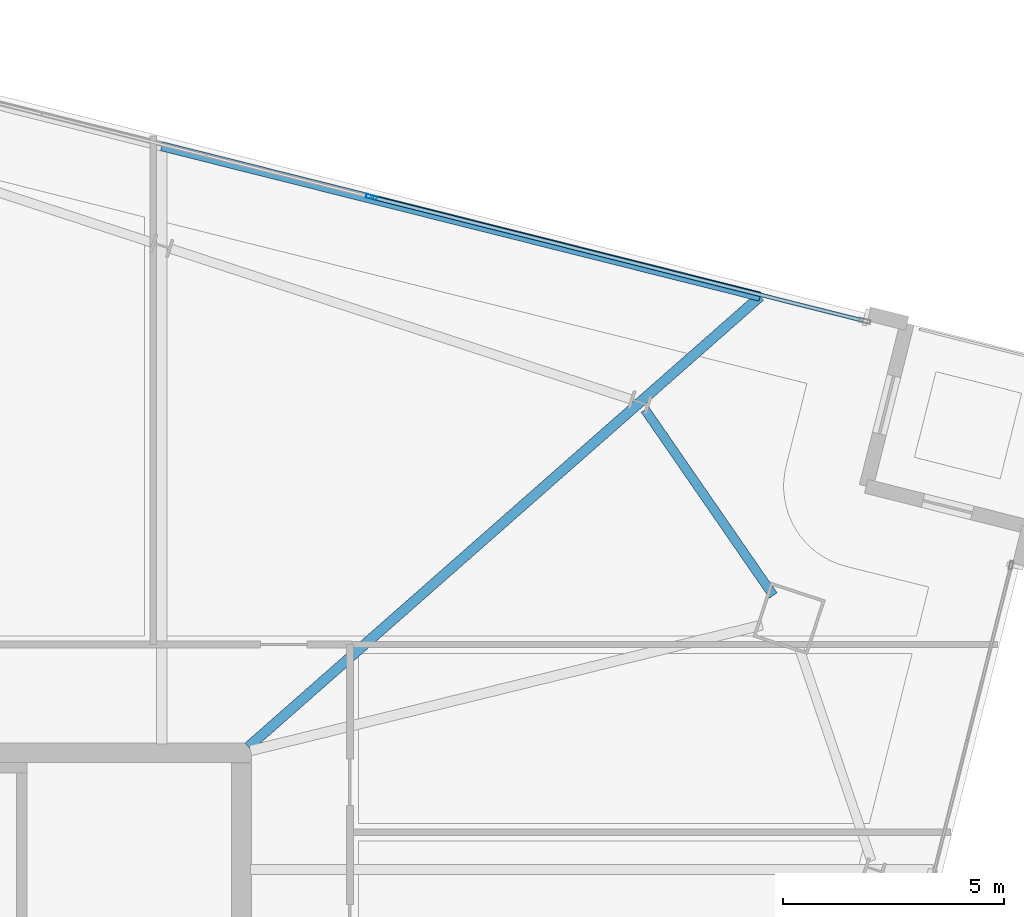
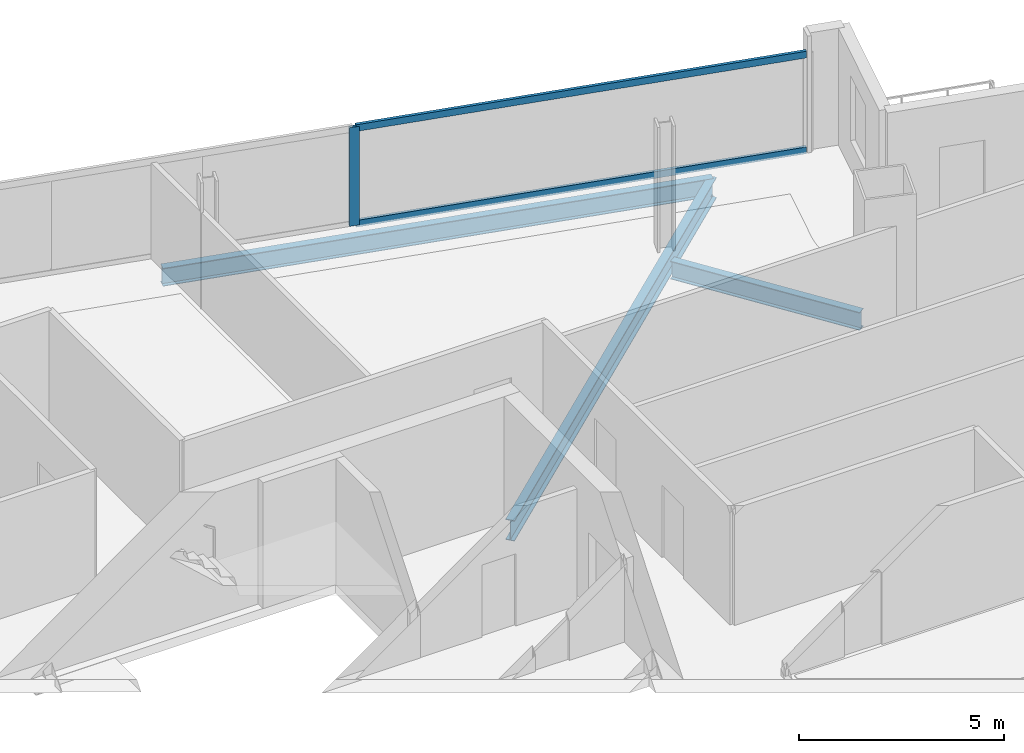
# One storey, part 16 of 28: 3 beams, 3 members, 1 element without a shape of its own.
"""IFC4 building model written with IfcOpenShell, lengths in metres."""

import ifcopenshell
import ifcopenshell.guid

model = None  # the IFC model being written
_history = None  # IfcOwnerHistory: only IFC2X3 demands one
_inside = {}  # id of a spatial element -> (the spatial element, [elements in it])
_under = {}  # id of a project, library or spatial element -> (it, [spatial elements below it])
_declared = {}  # id of a project -> (the project, [libraries it declares])
_typed = {}  # id of a type object -> (the type object, [elements of that type])
_made_of = {}  # id of a material, layer set ... -> (it, [elements and type objects made of it])


def new_model(schema):
    """Start an empty IFC model of exactly this schema.

    Asked for "IFC4X3", IfcOpenShell would pick the latest addendum, in which some entities
    have other attributes; the version numbers below select the first issue.
    IFC2X3 requires an IfcOwnerHistory on every rooted entity: one is made here for all.
    """
    global model, _history
    if schema == "IFC4X3":
        model = ifcopenshell.file(schema_version=(4, 3, 0, 0))
    else:
        model = ifcopenshell.file(schema=schema)
    _inside.clear()
    _under.clear()
    _declared.clear()
    _typed.clear()
    _made_of.clear()
    _history = None
    if model.schema == "IFC2X3":
        org = make("IfcOrganization", Name="unknown")
        user = make(
            "IfcPersonAndOrganization",
            ThePerson=make("IfcPerson", FamilyName="unknown"),
            TheOrganization=org,
        )
        app = make(
            "IfcApplication",
            ApplicationDeveloper=org,
            Version="unknown",
            ApplicationFullName="unknown",
            ApplicationIdentifier="unknown",
        )
        _history = make(
            "IfcOwnerHistory",
            OwningUser=user,
            OwningApplication=app,
            ChangeAction="ADDED",
            CreationDate=0,
        )
    return model


def make(cls, **values):
    """One entity of the class cls with the attributes given. An attribute that is None is left unset."""
    return model.create_entity(
        cls, **{name: value for name, value in values.items() if value is not None}
    )


def rooted(cls, **values):
    """An entity with a GlobalId (a new one), such as an element, a storey or a relation."""
    return make(cls, GlobalId=ifcopenshell.guid.new(), OwnerHistory=_history, **values)


def si_unit(unit_type, name, prefix=None):
    """IfcSIUnit, for example si_unit("LENGTHUNIT", "METRE", prefix="MILLI")."""
    return make("IfcSIUnit", UnitType=unit_type, Prefix=prefix, Name=name)


def assignment(units):
    """IfcUnitAssignment: the units of a project."""
    return None if units is None else make("IfcUnitAssignment", Units=units)


def point(xyz):
    """IfcCartesianPoint."""
    return None if xyz is None else make("IfcCartesianPoint", Coordinates=xyz)


def direction(xyz):
    """IfcDirection."""
    return None if xyz is None else make("IfcDirection", DirectionRatios=xyz)


def frame(location, z_axis=None, x_axis=None):
    """IfcAxis2Placement3D, a coordinate frame: its origin and axes. An axis left out is left unset."""
    return make(
        "IfcAxis2Placement3D",
        Location=point(location),
        Axis=direction(z_axis),
        RefDirection=direction(x_axis),
    )


def frame_2d(location, x_axis=None):
    """IfcAxis2Placement2D, a coordinate frame in the plane: its origin and x axis."""
    return make(
        "IfcAxis2Placement2D", Location=point(location), RefDirection=direction(x_axis)
    )


def origin():
    """The frame at (0, 0, 0) with its axes left unset."""
    return frame((0.0, 0.0, 0.0))


def origin_2d():
    """The frame at (0, 0) in the plane with its x axis left unset."""
    return frame_2d((0.0, 0.0))


def place(relative_to, where):
    """IfcLocalPlacement: puts the frame where relative to a parent placement (None: the world)."""
    return make(
        "IfcLocalPlacement", PlacementRelTo=relative_to, RelativePlacement=where
    )


def context(
    kind, dimensions, precision=None, world=None, true_north=None, identifier=None
):
    """IfcGeometricRepresentationContext, for example the 3D "Model" context."""
    return make(
        "IfcGeometricRepresentationContext",
        ContextIdentifier=identifier,
        ContextType=kind,
        CoordinateSpaceDimension=dimensions,
        Precision=precision,
        WorldCoordinateSystem=world,
        TrueNorth=true_north,
    )


def subcontext(parent, identifier, kind, view, scale=None):
    """IfcGeometricRepresentationSubContext, for example "Body" below "Model"."""
    return make(
        "IfcGeometricRepresentationSubContext",
        ContextIdentifier=identifier,
        ContextType=kind,
        ParentContext=parent,
        TargetScale=scale,
        TargetView=view,
    )


def project(units=None, contexts=None):
    """IfcProject with its units and contexts."""
    return rooted(
        "IfcProject",
        Name="project",
        RepresentationContexts=contexts,
        UnitsInContext=assignment(units),
    )


def spatial(cls, under=None, at=None, **own):
    """A site, building, storey or space (cls), placed at a placement, below another one or the project."""
    s = rooted(cls, ObjectPlacement=at, **own)
    if under is not None:
        _under.setdefault(under.id(), (under, []))[1].append(s)
    return s


def profile(cls, at=None, kind="AREA", **sizes):
    """A parametric profile (cls). Its sizes go by their IFC names, for example OverallWidth=200.0."""
    return make(cls, ProfileType=kind, Position=at, **sizes)


def hollow_rectangle(**sizes):
    """IfcRectangleHollowProfileDef."""
    return profile("IfcRectangleHollowProfileDef", **sizes)


def i_section(**sizes):
    """IfcIShapeProfileDef."""
    return profile("IfcIShapeProfileDef", **sizes)


def extrude(swept, where, along, depth):
    """IfcExtrudedAreaSolid: the profile swept, set in the frame where, extruded along a direction by depth."""
    return make(
        "IfcExtrudedAreaSolid",
        SweptArea=swept,
        Position=where,
        ExtrudedDirection=direction(along),
        Depth=depth,
    )


def shape(context_of_items, identifier, shape_type, items):
    """IfcShapeRepresentation: the items that make up one representation, for example the "Body"."""
    return make(
        "IfcShapeRepresentation",
        ContextOfItems=context_of_items,
        RepresentationIdentifier=identifier,
        RepresentationType=shape_type,
        Items=items,
    )


def material(Name=None, Category=None):
    """IfcMaterial."""
    return make("IfcMaterial", Name=Name, Category=Category)


def material_profile(
    of_material, cross_section, Name=None, Category=None, Priority=None
):
    """IfcMaterialProfile: a cross section and its material."""
    return make(
        "IfcMaterialProfile",
        Name=Name,
        Material=of_material,
        Profile=cross_section,
        Priority=Priority,
        Category=Category,
    )


def profile_set(profiles, Name=None, composite=None):
    """IfcMaterialProfileSet."""
    return make(
        "IfcMaterialProfileSet",
        Name=Name,
        MaterialProfiles=profiles,
        CompositeProfile=composite,
    )


def made_of(thing, what):
    """Note that an element or type object is made of a material, layer set ...; save() writes the relation."""
    if what is not None:
        _made_of.setdefault(what.id(), (what, []))[1].append(thing)
    return thing


def type_object(cls, material=None, **own):
    """A type object (cls), such as IfcWallType, which elements share."""
    return made_of(rooted(cls, **own), material)


def element(
    cls,
    number,
    at=None,
    inside=None,
    cuts=None,
    type_object=None,
    material=None,
    context=None,
    identifier="Body",
    shape_type=None,
    held_by="IfcProductDefinitionShape",
    body=None,
    shapes=None,
    **own,
):
    """One element of the class cls, such as IfcWall. Its Tag is "e" and its number.

    at: its placement. inside: the storey or other place that contains it. cuts: it is an
    opening in that element (IfcRelVoidsElement). A single representation is given by context,
    identifier, shape_type and body (its items); several are given by shapes. held_by: the class
    of the entity that holds the representations. save() writes the other relations.
    """
    e = rooted(cls, Tag="e%d" % number, ObjectPlacement=at, **own)
    if body is not None:
        shapes = [shape(context, identifier, shape_type, body)]
    if shapes is not None:
        e.Representation = make(held_by, Representations=shapes)
    if inside is not None:
        _inside.setdefault(inside.id(), (inside, []))[1].append(e)
    if cuts is not None:
        rooted(
            "IfcRelVoidsElement", RelatingBuildingElement=cuts, RelatedOpeningElement=e
        )
    if type_object is not None:
        _typed.setdefault(type_object.id(), (type_object, []))[1].append(e)
    return made_of(e, material)


def aggregate(whole, parts):
    """IfcRelAggregates: a whole, such as a stair, and the parts it consists of."""
    return rooted("IfcRelAggregates", RelatingObject=whole, RelatedObjects=parts)


def save(model, path):
    """Write the relations noted so far, then the file.

    IfcRelAggregates (storeys below a building ...), IfcRelContainedInSpatialStructure (elements
    in a storey), IfcRelDefinesByType, IfcRelAssociatesMaterial and IfcRelDeclares: one each for
    every whole, place, type object, material and project.
    """
    for whole, parts in _under.values():
        aggregate(whole, parts)
    for where, things in _inside.values():
        rooted(
            "IfcRelContainedInSpatialStructure",
            RelatedElements=things,
            RelatingStructure=where,
        )
    for kind, things in _typed.values():
        rooted("IfcRelDefinesByType", RelatedObjects=things, RelatingType=kind)
    for what, things in _made_of.values():
        rooted("IfcRelAssociatesMaterial", RelatedObjects=things, RelatingMaterial=what)
    for by, libraries in _declared.values():
        rooted("IfcRelDeclares", RelatingContext=by, RelatedDefinitions=libraries)
    model.write(path)


model = new_model("IFC4")

# Units and contexts
model_context = context("Model", 3, precision=1e-05, world=origin(), true_north=direction((0.0, 1.0)))
body_context = subcontext(model_context, "Body", "Model", "MODEL_VIEW")
ifc_project = project(units=[si_unit("LENGTHUNIT", "METRE"), si_unit("AREAUNIT", "SQUARE_METRE"), si_unit("VOLUMEUNIT", "CUBIC_METRE"), si_unit("PLANEANGLEUNIT", "RADIAN"), si_unit("MASSUNIT", "GRAM", prefix="KILO")], contexts=[model_context])

# Site, building, storey
site_placement = place(None, origin())
site = spatial("IfcSite", under=ifc_project, at=site_placement, CompositionType="ELEMENT")
building_placement = place(site_placement, origin())
building = spatial("IfcBuilding", under=site, at=building_placement, Name="Haldenkirk Collegiate Tower", CompositionType="ELEMENT")
storey_placement = place(building_placement, frame((0.0, 0.0, 282.449951171875)))
storey = spatial("IfcBuildingStorey", under=building, at=storey_placement, Name="L71", CompositionType="ELEMENT", Elevation=282.449951171875)

# Beams
ifc_material_1 = material(Name="Steel ASTM A992 Grade 50", Category="steel")
ifc_material_profile_1 = material_profile(ifc_material_1, i_section(OverallWidth=0.22998046875, OverallDepth=0.616943359375, WebThickness=0.01318359375, FlangeThickness=0.022216796875, at=origin_2d()), Name="W24X94")
ifc_profile_set_1 = profile_set([ifc_material_profile_1], Name="Steel ASTM A992 Grade 50")
beam_type_1 = type_object("IfcBeamType", Name="BM-GIRDER-W24X94", PredefinedType="BEAM", material=ifc_profile_set_1)
beam_1_placement = place(storey_placement, frame((56.73779296875, 44.330078125, -0.578369140625), z_axis=(-0.750691860231, -0.660652503955, 0.0), x_axis=(0.660652503955, -0.750691860231, 0.0)))
element("IfcBeam", 1, at=beam_1_placement, inside=storey, type_object=beam_type_1, Name="L71 primary floor girder 08", PredefinedType="BEAM", context=body_context, shape_type="SweptSolid", body=[
    extrude(i_section(OverallWidth=0.22998046875, OverallDepth=0.616943359375, WebThickness=0.01318359375, FlangeThickness=0.022216796875, at=origin_2d()), origin(), (0.0, 0.0, 1.0), 15.43115234375),
])
ifc_material_profile_2 = material_profile(ifc_material_1, i_section(OverallWidth=0.2099609375, OverallDepth=0.537109375, WebThickness=0.010986328125, FlangeThickness=0.017333984375, at=origin_2d()), Name="W21X68")
ifc_profile_set_2 = profile_set([ifc_material_profile_2], Name="Steel ASTM A992 Grade 50")
beam_type_2 = type_object("IfcBeamType", Name="BM-SPANDREL-W21X68", PredefinedType="SPANDREL", material=ifc_profile_set_2)
beam_2_placement = place(storey_placement, frame((57.037841796875, 37.56201171875, -0.538330078125), z_axis=(-0.568092176681, 0.822964931692, 0.0), x_axis=(-0.822964931692, -0.568092176681, 0.0)))
element("IfcBeam", 2, at=beam_2_placement, inside=storey, type_object=beam_type_2, Name="L71 perimeter spandrel beam 05", PredefinedType="SPANDREL", context=body_context, shape_type="SweptSolid", body=[
    extrude(i_section(OverallWidth=0.2099609375, OverallDepth=0.537109375, WebThickness=0.010986328125, FlangeThickness=0.017333984375, at=origin_2d()), origin(), (0.0, 0.0, 1.0), 5.11328125),
])
beam_3_placement = place(storey_placement, frame((56.73779296875, 44.330078125, -0.538330078125), z_axis=(-0.969870474841, 0.243621144468, 0.0), x_axis=(-0.243621144468, -0.969870474841, 0.0)))
element("IfcBeam", 3, at=beam_3_placement, inside=storey, type_object=beam_type_2, Name="L71 outer facade edge beam 2A", PredefinedType="SPANDREL", context=body_context, shape_type="SweptSolid", body=[
    extrude(i_section(OverallWidth=0.2099609375, OverallDepth=0.537109375, WebThickness=0.010986328125, FlangeThickness=0.017333984375, at=origin_2d()), origin(), (0.0, 0.0, 1.0), 13.96875),
])

# Curtain wall, members
ifc_material_2 = material(Name="Anodised architectural bronze aluminium", Category="aluminium")
curtain_wall_type = type_object("IfcCurtainWallType", Name="CW-SYS1B-CONVEX-HI", PredefinedType="USERDEFINED", material=ifc_material_2)
curtain_wall_placement = place(storey_placement, origin())
curtain_wall = element("IfcCurtainWall", 4, at=curtain_wall_placement, inside=storey, type_object=curtain_wall_type, Name="L71 Upper tower high-wind convex bronze unitised curtain wall", ObjectType="UNITISED CURTAIN WALL", PredefinedType="USERDEFINED")
ifc_material_profile_3 = material_profile(ifc_material_2, hollow_rectangle(XDim=0.0849609375, YDim=0.25, WallThickness=0.0048828125, at=origin_2d()), Name="CW-MUL-1B")
ifc_profile_set_3 = profile_set([ifc_material_profile_3], Name="Anodised architectural bronze aluminium")
member_type_1 = type_object("IfcMemberType", Name="CW-MUL-1B", PredefinedType="MULLION", material=ifc_profile_set_3)
member_1_placement = place(storey_placement, frame((47.940185546875, 46.581298828125, 0.0), z_axis=(0.0, 0.0, 1.0), x_axis=(0.243611692191, 0.969872849103, 0.0)))
member_1 = element("IfcMember", 5, at=member_1_placement, type_object=member_type_1, Name="CW-1B mullion 3", PredefinedType="MULLION", context=body_context, shape_type="SweptSolid", body=[
    extrude(hollow_rectangle(XDim=0.0849609375, YDim=0.25, WallThickness=0.0048828125, at=origin_2d()), origin(), (0.0, 0.0, 1.0), 2.93798828125),
])
ifc_material_profile_4 = material_profile(ifc_material_2, hollow_rectangle(XDim=0.0849609375, YDim=0.199951171875, WallThickness=0.0048828125, at=origin_2d()), Name="CW-TRN-1B")
ifc_profile_set_4 = profile_set([ifc_material_profile_4], Name="Anodised architectural bronze aluminium")
member_type_2 = type_object("IfcMemberType", Name="CW-TRN-1B", PredefinedType="USERDEFINED", material=ifc_profile_set_4)
member_2_placement = place(storey_placement, frame((47.9814453125, 46.57080078125, 0.04248046875), z_axis=(0.969873042791, -0.243610921076, 0.0), x_axis=(0.243610921076, 0.969873042791, 0.0)))
member_2 = element("IfcMember", 6, at=member_2_placement, type_object=member_type_2, Name="CW-1B transom 3.1", ObjectType="TRANSOM", PredefinedType="USERDEFINED", context=body_context, shape_type="SweptSolid", body=[
    extrude(hollow_rectangle(XDim=0.0849609375, YDim=0.199951171875, WallThickness=0.0048828125, at=origin_2d()), origin(), (0.0, 0.0, 1.0), 11.430908203125),
])
member_3_placement = place(storey_placement, frame((47.9814453125, 46.57080078125, 2.8955078125), z_axis=(0.969873042791, -0.243610921076, 0.0), x_axis=(0.243610921076, 0.969873042791, 0.0)))
member_3 = element("IfcMember", 7, at=member_3_placement, type_object=member_type_2, Name="CW-1B transom 3.2", ObjectType="TRANSOM", PredefinedType="USERDEFINED", context=body_context, shape_type="SweptSolid", body=[
    extrude(hollow_rectangle(XDim=0.0849609375, YDim=0.199951171875, WallThickness=0.0048828125, at=origin_2d()), origin(), (0.0, 0.0, 1.0), 11.430908203125),
])
aggregate(curtain_wall, [member_1, member_2, member_3])

save(model, "model.ifc")
